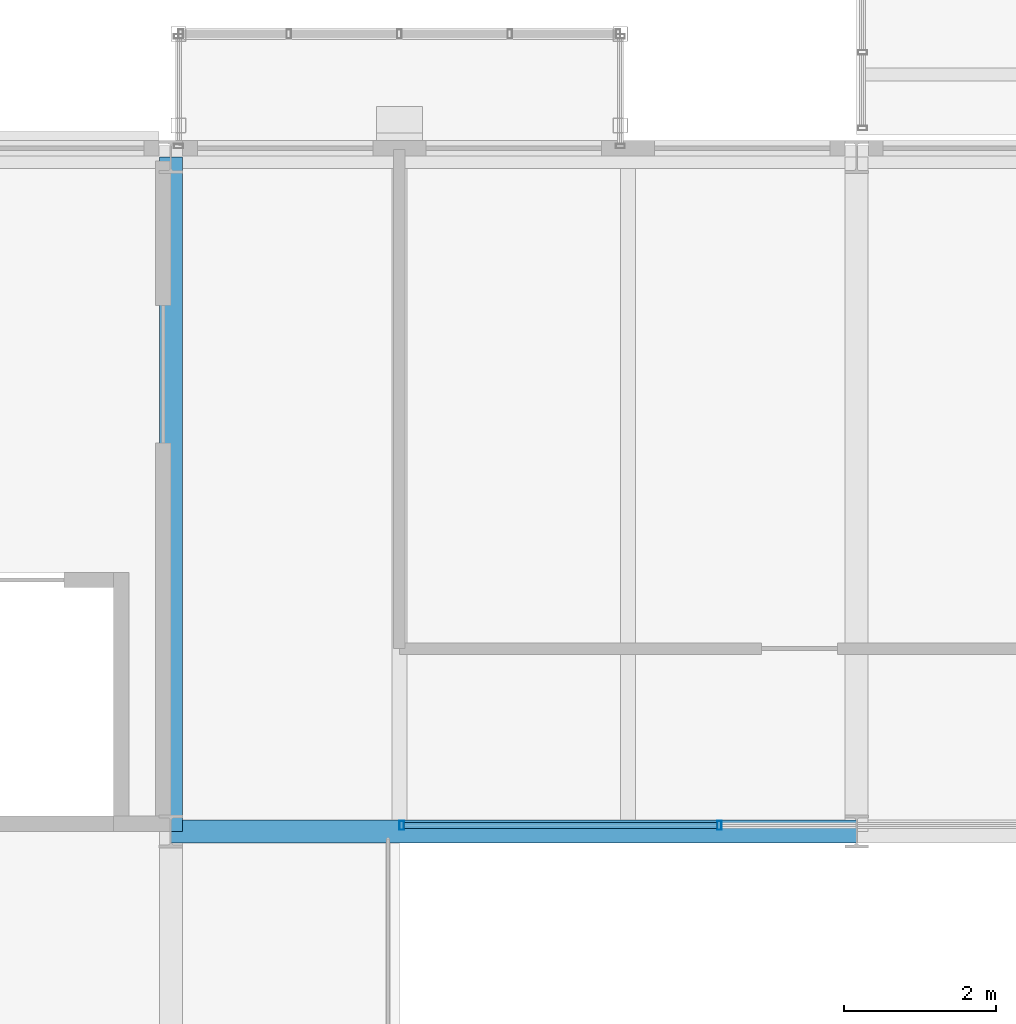
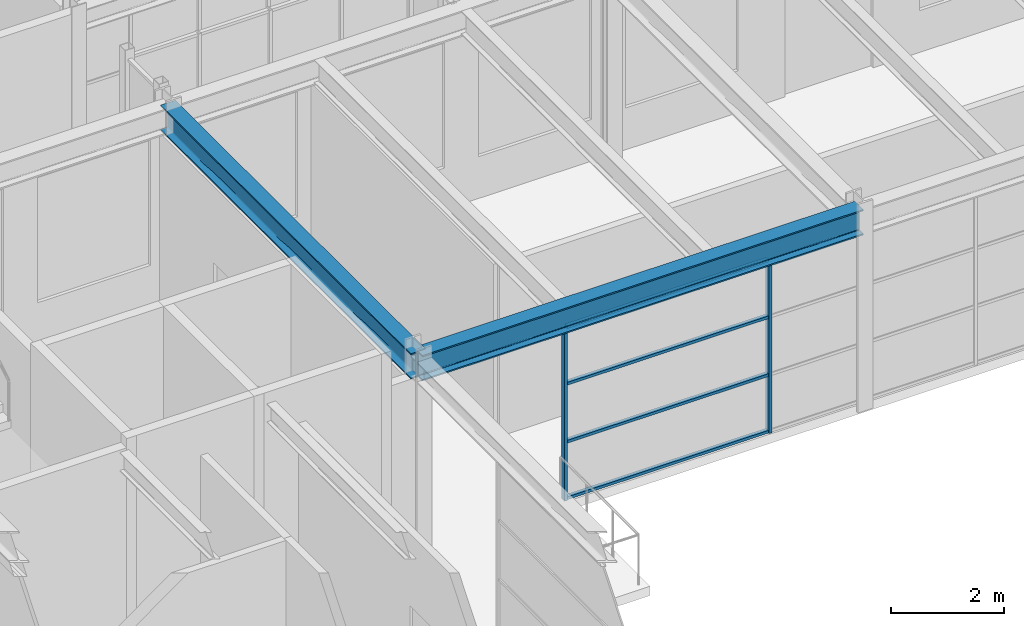
# One storey, part 32 of 111: 6 members, 2 beams, 1 element without a shape of its own.
"""IFC4 building model written with IfcOpenShell, lengths in metres."""

from ifc_helpers import new_model, si_unit, direction, frame, origin, origin_2d, place, context, subcontext, project, spatial, hollow_rectangle, i_section, extrude, material, material_profile, profile_set, type_object, element, aggregate, save


model = new_model("IFC4")

# Units and contexts
model_context = context("Model", 3, precision=1e-05, world=origin(), true_north=direction((0.0, 1.0)))
body_context = subcontext(model_context, "Body", "Model", "MODEL_VIEW")
ifc_project = project(units=[si_unit("LENGTHUNIT", "METRE"), si_unit("AREAUNIT", "SQUARE_METRE"), si_unit("VOLUMEUNIT", "CUBIC_METRE"), si_unit("PLANEANGLEUNIT", "RADIAN"), si_unit("MASSUNIT", "GRAM", prefix="KILO")], contexts=[model_context])

# Site, building, storey
site_placement = place(None, origin())
site = spatial("IfcSite", under=ifc_project, at=site_placement, CompositionType="ELEMENT")
building_placement = place(site_placement, origin())
building = spatial("IfcBuilding", under=site, at=building_placement, Name="Kallimachos Central Library", CompositionType="ELEMENT")
storey_placement = place(building_placement, frame((0.0, 0.0, 14.39990234375)))
storey = spatial("IfcBuildingStorey", under=building, at=storey_placement, Name="L03", CompositionType="ELEMENT", Elevation=14.39990234375)

# Curtain wall, members
ifc_material_1 = material(Name="Aluminium and laminated glass", Category="aluminium")
curtain_wall_type = type_object("IfcCurtainWallType", Name="Atrium glazed screen", PredefinedType="NOTDEFINED", material=ifc_material_1)
curtain_wall_placement = place(storey_placement, origin())
curtain_wall = element("IfcCurtainWall", 1, at=curtain_wall_placement, inside=storey, type_object=curtain_wall_type, Name="L03 atrium screen N", PredefinedType="NOTDEFINED")
ifc_material_2 = material(Name="Anodised aluminium", Category="aluminium")
ifc_material_profile_1 = material_profile(ifc_material_2, hollow_rectangle(XDim=0.06005859375, YDim=0.1201171875, WallThickness=0.00390625, at=origin_2d()), Name="ALU MULLION 60x120")
ifc_profile_set_1 = profile_set([ifc_material_profile_1], Name="Anodised aluminium")
member_type_1 = type_object("IfcMemberType", Name="Atrium screen mullion", PredefinedType="MULLION", material=ifc_profile_set_1)
member_1_placement = place(storey_placement, frame((77.530029296875, 75.080078125, 0.0), z_axis=(0.0, 0.0, 1.0), x_axis=(1.0, 0.0, 0.0)))
member_1 = element("IfcMember", 2, at=member_1_placement, type_object=member_type_1, Name="CW mullion 1", PredefinedType="MULLION", context=body_context, shape_type="SweptSolid", body=[
    extrude(hollow_rectangle(XDim=0.06005859375, YDim=0.1201171875, WallThickness=0.00390625, at=origin_2d()), origin(), (0.0, 0.0, 1.0), 3.75),
])
member_2_placement = place(storey_placement, frame((81.699951171875, 75.080078125, 0.0), z_axis=(0.0, 0.0, 1.0), x_axis=(1.0, 0.0, 0.0)))
member_2 = element("IfcMember", 3, at=member_2_placement, type_object=member_type_1, Name="CW mullion 2", PredefinedType="MULLION", context=body_context, shape_type="SweptSolid", body=[
    extrude(hollow_rectangle(XDim=0.06005859375, YDim=0.1201171875, WallThickness=0.00390625, at=origin_2d()), origin(), (0.0, 0.0, 1.0), 3.75),
])
ifc_material_3 = material(Name="Anodised aluminium", Category="aluminium")
ifc_material_profile_2 = material_profile(ifc_material_3, hollow_rectangle(XDim=0.06005859375, YDim=0.080078125, WallThickness=0.00390625, at=origin_2d()), Name="ALU TRANSOM 60x80")
ifc_profile_set_2 = profile_set([ifc_material_profile_2], Name="Anodised aluminium")
member_type_2 = type_object("IfcMemberType", Name="Atrium screen transom", PredefinedType="USERDEFINED", material=ifc_profile_set_2)
member_3_placement = place(storey_placement, frame((77.56005859375, 75.080078125, 0.030029296875), z_axis=(1.0, 0.0, 0.0), x_axis=(0.0, 0.0, 1.0)))
member_3 = element("IfcMember", 4, at=member_3_placement, type_object=member_type_2, Name="CW transom 1.1", ObjectType="TRANSOM", PredefinedType="USERDEFINED", context=body_context, shape_type="SweptSolid", body=[
    extrude(hollow_rectangle(XDim=0.06005859375, YDim=0.080078125, WallThickness=0.00390625, at=origin_2d()), origin(), (0.0, 0.0, 1.0), 4.10986328125),
])
member_4_placement = place(storey_placement, frame((77.56005859375, 75.080078125, 1.25), z_axis=(1.0, 0.0, 0.0), x_axis=(0.0, 0.0, 1.0)))
member_4 = element("IfcMember", 5, at=member_4_placement, type_object=member_type_2, Name="CW transom 1.2", ObjectType="TRANSOM", PredefinedType="USERDEFINED", context=body_context, shape_type="SweptSolid", body=[
    extrude(hollow_rectangle(XDim=0.06005859375, YDim=0.080078125, WallThickness=0.00390625, at=origin_2d()), origin(), (0.0, 0.0, 1.0), 4.10986328125),
])
member_5_placement = place(storey_placement, frame((77.56005859375, 75.080078125, 2.5), z_axis=(1.0, 0.0, 0.0), x_axis=(0.0, 0.0, 1.0)))
member_5 = element("IfcMember", 6, at=member_5_placement, type_object=member_type_2, Name="CW transom 1.3", ObjectType="TRANSOM", PredefinedType="USERDEFINED", context=body_context, shape_type="SweptSolid", body=[
    extrude(hollow_rectangle(XDim=0.06005859375, YDim=0.080078125, WallThickness=0.00390625, at=origin_2d()), origin(), (0.0, 0.0, 1.0), 4.10986328125),
])
member_6_placement = place(storey_placement, frame((77.56005859375, 75.080078125, 3.72021484375), z_axis=(1.0, 0.0, 0.0), x_axis=(0.0, 0.0, 1.0)))
member_6 = element("IfcMember", 7, at=member_6_placement, type_object=member_type_2, Name="CW transom 1.4", ObjectType="TRANSOM", PredefinedType="USERDEFINED", context=body_context, shape_type="SweptSolid", body=[
    extrude(hollow_rectangle(XDim=0.06005859375, YDim=0.080078125, WallThickness=0.00390625, at=origin_2d()), origin(), (0.0, 0.0, 1.0), 4.10986328125),
])
aggregate(curtain_wall, [member_1, member_2, member_3, member_4, member_5, member_6])

# Beams
ifc_material_4 = material(Name="Steel S355J2", Category="steel")
ifc_material_profile_3 = material_profile(ifc_material_4, i_section(OverallWidth=0.300048828125, OverallDepth=0.550048828125, WebThickness=0.014892578125, FlangeThickness=0.029052734375, FilletRadius=0.027099609375, at=origin_2d()), Name="HEB 550")
ifc_profile_set_3 = profile_set([ifc_material_profile_3], Name="Steel S355J2")
beam_type = type_object("IfcBeamType", Name="HEB 550 beam", PredefinedType="BEAM", material=ifc_profile_set_3)
beam_1_placement = place(storey_placement, frame((74.5, 75.0, 4.025146484375), z_axis=(1.0, 0.0, 0.0), x_axis=(0.0, 1.0, 0.0)))
element("IfcBeam", 8, at=beam_1_placement, inside=storey, type_object=beam_type, Name="V4-BEM-L03-001", PredefinedType="BEAM", context=body_context, shape_type="SweptSolid", body=[
    extrude(i_section(OverallWidth=0.300048828125, OverallDepth=0.550048828125, WebThickness=0.014892578125, FlangeThickness=0.029052734375, FilletRadius=0.027099609375, at=origin_2d()), origin(), (0.0, 0.0, 1.0), 9.0),
])
beam_2_placement = place(storey_placement, frame((74.5, 75.0, 4.025146484375), z_axis=(0.0, 1.0, 0.0), x_axis=(-1.0, 0.0, 0.0)))
element("IfcBeam", 9, at=beam_2_placement, inside=storey, type_object=beam_type, Name="V4-BEM-L03-010", PredefinedType="BEAM", context=body_context, shape_type="SweptSolid", body=[
    extrude(i_section(OverallWidth=0.300048828125, OverallDepth=0.550048828125, WebThickness=0.014892578125, FlangeThickness=0.029052734375, FilletRadius=0.027099609375, at=origin_2d()), origin(), (0.0, 0.0, 1.0), 8.85009765625),
])

save(model, "model.ifc")
